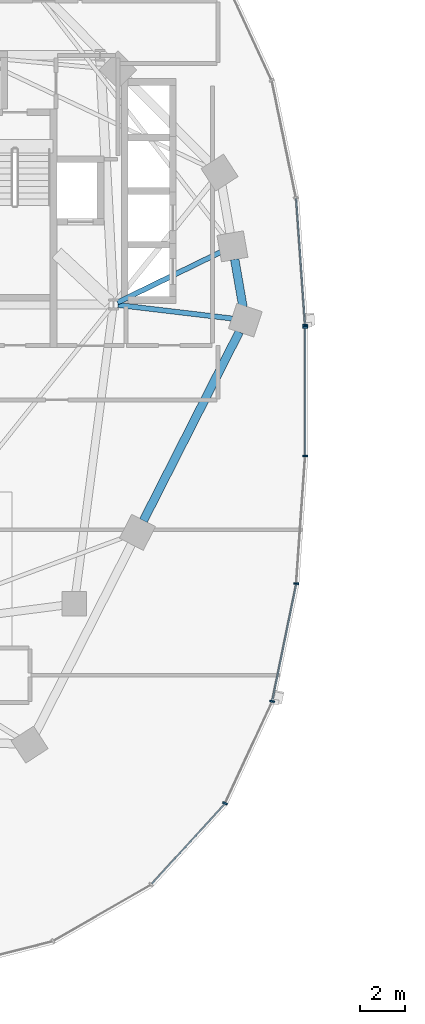
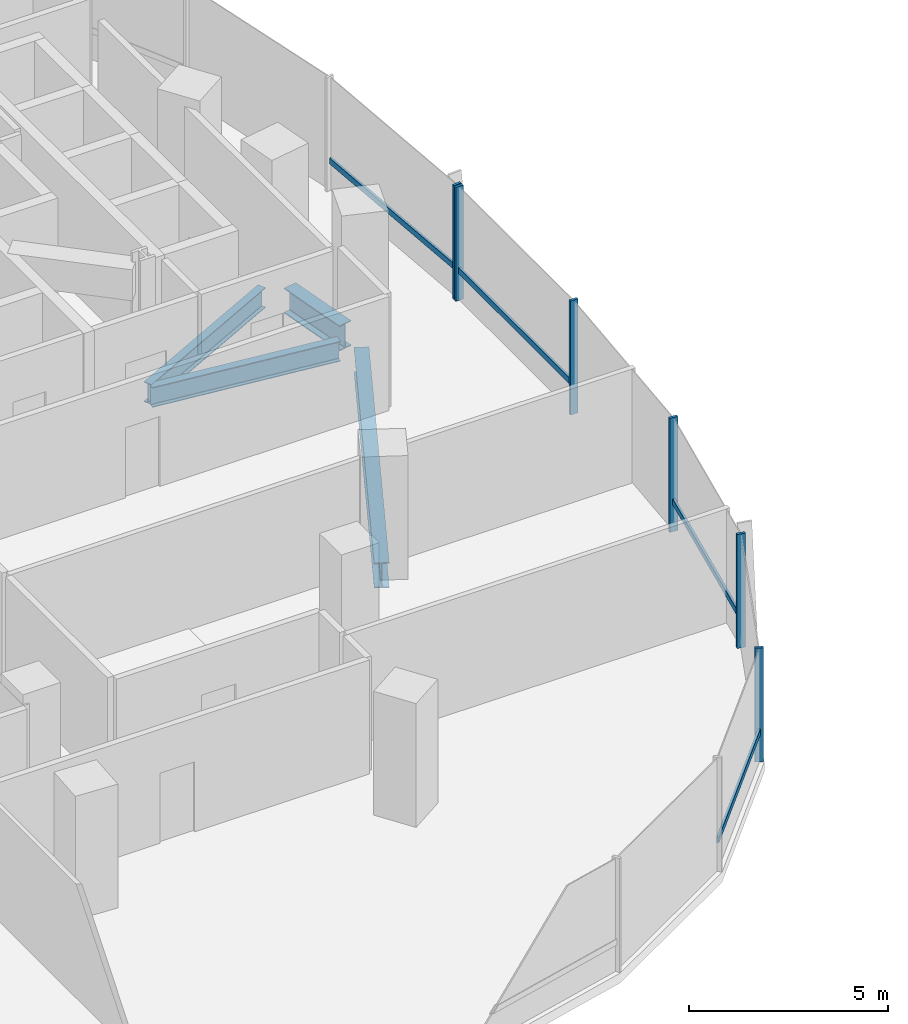
# One storey, part 3 of 22: 10 members, 4 beams, 2 elements without a shape of their own.
"""IFC4 building model written with IfcOpenShell, lengths in metres."""

from ifc_helpers import new_model, si_unit, direction, frame, origin, origin_2d, place, context, subcontext, project, spatial, rectangle, i_section, extrude, material, material_profile, profile_set, type_object, element, aggregate, save


model = new_model("IFC4")

# Units and contexts
model_context = context("Model", 3, precision=1e-05, world=origin(), true_north=direction((0.0, 1.0)))
body_context = subcontext(model_context, "Body", "Model", "MODEL_VIEW")
ifc_project = project(units=[si_unit("LENGTHUNIT", "METRE"), si_unit("AREAUNIT", "SQUARE_METRE"), si_unit("VOLUMEUNIT", "CUBIC_METRE"), si_unit("PLANEANGLEUNIT", "RADIAN"), si_unit("MASSUNIT", "GRAM", prefix="KILO"), si_unit("THERMODYNAMICTEMPERATUREUNIT", "KELVIN"), si_unit("POWERUNIT", "WATT")], contexts=[model_context])

# Site, building, storey
site_placement = place(None, origin())
site = spatial("IfcSite", under=ifc_project, at=site_placement, CompositionType="ELEMENT")
building_placement = place(site_placement, origin())
building = spatial("IfcBuilding", under=site, at=building_placement, Name="Cundina Bronze Exchange", CompositionType="ELEMENT")
storey_placement = place(building_placement, frame((0.0, 0.0, 35.39990234375)))
storey = spatial("IfcBuildingStorey", under=building, at=storey_placement, Name="L08", CompositionType="ELEMENT", Elevation=35.39990234375)

# Beams
ifc_material_1 = material(Name="Steel ASTM A992 Grade 50", Category="steel")
ifc_material_profile_1 = material_profile(ifc_material_1, i_section(OverallWidth=0.22998046875, OverallDepth=0.616943359375, WebThickness=0.01318359375, FlangeThickness=0.022216796875, FilletRadius=0.013916015625, at=origin_2d()), Name="W24X94", Category="steel")
ifc_profile_set_1 = profile_set([ifc_material_profile_1], Name="Steel ASTM A992 Grade 50")
beam_type_1 = type_object("IfcBeamType", Name="BM-FLR-W24B", PredefinedType="BEAM", material=ifc_profile_set_1)
beam_1_placement = place(storey_placement, frame((-21.247314453125, 3.8759765625, -0.6083984375), z_axis=(0.993035236117, -0.117817739878, 0.0), x_axis=(0.117817739878, 0.993035236117, 0.0)))
element("IfcBeam", 1, at=beam_1_placement, inside=storey, type_object=beam_type_1, Name="L08 Leg W Radial Floor Beam 00", PredefinedType="BEAM", context=body_context, shape_type="SweptSolid", body=[
    extrude(i_section(OverallWidth=0.22998046875, OverallDepth=0.616943359375, WebThickness=0.01318359375, FlangeThickness=0.022216796875, FilletRadius=0.013916015625, at=origin_2d()), origin(), (0.0, 0.0, 1.0), 5.1494140625),
])
beam_2_placement = place(storey_placement, frame((-21.2666015625, 3.989501953125, -0.6083984375), z_axis=(0.898610249448, 0.438747785849, 0.0), x_axis=(-0.438747785849, 0.898610249448, 0.0)))
element("IfcBeam", 2, at=beam_2_placement, inside=storey, type_object=beam_type_1, Name="L08 Leg W Radial Floor Beam 01", PredefinedType="BEAM", context=body_context, shape_type="SweptSolid", body=[
    extrude(i_section(OverallWidth=0.22998046875, OverallDepth=0.616943359375, WebThickness=0.01318359375, FlangeThickness=0.022216796875, FilletRadius=0.013916015625, at=origin_2d()), origin(), (0.0, 0.0, 1.0), 5.1337890625),
])
ifc_material_profile_2 = material_profile(ifc_material_1, i_section(OverallWidth=0.381103515625, OverallDepth=0.77294921875, WebThickness=0.0166015625, FlangeThickness=0.027099609375, FilletRadius=0.01904296875, at=origin_2d()), Name="W30X173", Category="steel")
ifc_profile_set_2 = profile_set([ifc_material_profile_2], Name="Steel ASTM A992 Grade 50")
beam_type_2 = type_object("IfcBeamType", Name="BM-RING-W30", PredefinedType="USERDEFINED", material=ifc_profile_set_2)
beam_3_placement = place(storey_placement, frame((-15.65087890625, 3.779296875, -0.6865234375), z_axis=(-0.171734584051, 0.985143254883, 0.0), x_axis=(-0.985143254883, -0.171734584051, 0.0)))
element("IfcBeam", 3, at=beam_3_placement, inside=storey, type_object=beam_type_2, Name="L08 W Perimeter Ring Girder 00", ObjectType="GIRDER", PredefinedType="USERDEFINED", context=body_context, shape_type="SweptSolid", body=[
    extrude(i_section(OverallWidth=0.381103515625, OverallDepth=0.77294921875, WebThickness=0.0166015625, FlangeThickness=0.027099609375, FilletRadius=0.01904296875, at=origin_2d()), origin(), (0.0, 0.0, 1.0), 2.173583984375),
])
beam_4_placement = place(storey_placement, frame((-20.108642578125, -5.775634765625, -0.6865234375), z_axis=(0.452819633606, 0.891602141889, 0.0), x_axis=(-0.891602141889, 0.452819633606, 0.0)))
element("IfcBeam", 4, at=beam_4_placement, inside=storey, type_object=beam_type_2, Name="L08 W Perimeter Ring Girder 13", ObjectType="GIRDER", PredefinedType="USERDEFINED", context=body_context, shape_type="SweptSolid", body=[
    extrude(i_section(OverallWidth=0.381103515625, OverallDepth=0.77294921875, WebThickness=0.0166015625, FlangeThickness=0.027099609375, FilletRadius=0.01904296875, at=origin_2d()), origin(), (0.0, 0.0, 1.0), 9.47900390625),
])

# Curtain wall, member
ifc_material_2 = material(Name="Anodised Bronze Aluminium 6063-T6", Category="aluminium")
curtain_wall_type = type_object("IfcCurtainWallType", Name="CWS-TRD-LOW", PredefinedType="NOTDEFINED", material=ifc_material_2)
curtain_wall_1_placement = place(storey_placement, origin())
curtain_wall_1 = element("IfcCurtainWall", 5, at=curtain_wall_1_placement, inside=storey, type_object=curtain_wall_type, Name="L08 CW-02 Curtain Wall Run CWR-L08-W1", PredefinedType="NOTDEFINED")
ifc_material_profile_3 = material_profile(ifc_material_2, rectangle(XDim=0.074951171875, YDim=0.219970703125, at=origin_2d()), Name="AL75X220", Category="aluminium")
ifc_profile_set_3 = profile_set([ifc_material_profile_3], Name="Anodised Bronze Aluminium 6063-T6")
member_type_1 = type_object("IfcMemberType", Name="CWM-MUL-220", PredefinedType="MULLION", material=ifc_profile_set_3)
member_1_placement = place(storey_placement, frame((-12.87548828125, 2.976318359375, 0.0), z_axis=(0.0, 0.0, 1.0), x_axis=(-0.070278787473, 0.997527389113, 0.0)))
member_1 = element("IfcMember", 6, at=member_1_placement, type_object=member_type_1, Name="CW-02 Mullion 1", PredefinedType="MULLION", context=body_context, shape_type="SweptSolid", body=[
    extrude(rectangle(XDim=0.074951171875, YDim=0.219970703125, at=origin_2d()), origin(), (0.0, 0.0, 1.0), 3.5),
])

# Curtain wall, members
curtain_wall_2_placement = place(storey_placement, origin())
curtain_wall_2 = element("IfcCurtainWall", 7, at=curtain_wall_2_placement, inside=storey, type_object=curtain_wall_type, Name="L08 CW-02 Curtain Wall Run CWR-L08-W4", PredefinedType="NOTDEFINED")
member_2_placement = place(storey_placement, frame((-16.455810546875, -18.423583984375, 0.0), z_axis=(0.0, 0.0, 1.0), x_axis=(0.42087749791, 0.907117485088, 0.0)))
member_2 = element("IfcMember", 8, at=member_2_placement, type_object=member_type_1, Name="CW-02 Mullion 4", PredefinedType="MULLION", context=body_context, shape_type="SweptSolid", body=[
    extrude(rectangle(XDim=0.074951171875, YDim=0.219970703125, at=origin_2d()), origin(), (0.0, 0.0, 1.0), 3.5),
])
member_3_placement = place(storey_placement, frame((-14.348876953125, -13.861328125, 0.0), z_axis=(0.0, 0.0, 1.0), x_axis=(0.201419845156, 0.979505000486, 0.0)))
member_3 = element("IfcMember", 9, at=member_3_placement, type_object=member_type_1, Name="CW-02 Mullion 5", PredefinedType="MULLION", context=body_context, shape_type="SweptSolid", body=[
    extrude(rectangle(XDim=0.074951171875, YDim=0.219970703125, at=origin_2d()), origin(), (0.0, 0.0, 1.0), 3.5),
])
member_4_placement = place(storey_placement, frame((-13.27099609375, -8.591552734375, 0.0), z_axis=(0.0, 0.0, 1.0), x_axis=(0.070278787473, 0.997527389113, 0.0)))
member_4 = element("IfcMember", 10, at=member_4_placement, type_object=member_type_1, Name="CW-02 Mullion 6", PredefinedType="MULLION", context=body_context, shape_type="SweptSolid", body=[
    extrude(rectangle(XDim=0.074951171875, YDim=0.219970703125, at=origin_2d()), origin(), (0.0, 0.0, 1.0), 3.5),
])
member_5_placement = place(storey_placement, frame((-12.8720703125, -2.880615234375, 0.0), z_axis=(0.0, 0.0, 1.0), x_axis=(0.0, 1.0, 0.0)))
member_5 = element("IfcMember", 11, at=member_5_placement, type_object=member_type_1, Name="CW-02 Mullion 7", PredefinedType="MULLION", context=body_context, shape_type="SweptSolid", body=[
    extrude(rectangle(XDim=0.074951171875, YDim=0.219970703125, at=origin_2d()), origin(), (0.0, 0.0, 1.0), 3.5),
])
member_6_placement = place(storey_placement, frame((-12.8720703125, 2.880615234375, 0.0), z_axis=(0.0, 0.0, 1.0), x_axis=(0.0, 1.0, 0.0)))
member_6 = element("IfcMember", 12, at=member_6_placement, type_object=member_type_1, Name="CW-02 End Mullion", PredefinedType="MULLION", context=body_context, shape_type="SweptSolid", body=[
    extrude(rectangle(XDim=0.074951171875, YDim=0.219970703125, at=origin_2d()), origin(), (0.0, 0.0, 1.0), 3.5),
])

# Member
ifc_material_profile_4 = material_profile(ifc_material_2, rectangle(XDim=0.070068359375, YDim=0.179931640625, at=origin_2d()), Name="AL70X180", Category="aluminium")
ifc_profile_set_4 = profile_set([ifc_material_profile_4], Name="Anodised Bronze Aluminium 6063-T6")
member_type_2 = type_object("IfcMemberType", Name="CWM-TRN-180", PredefinedType="USERDEFINED", material=ifc_profile_set_4)
member_7_placement = place(storey_placement, frame((-12.87841796875, 3.017333984375, 0.920166015625), z_axis=(-0.070260714471, 0.997528662246, 0.0), x_axis=(-0.997528662246, -0.070260714471, 0.0)))
member_7 = element("IfcMember", 13, at=member_7_placement, type_object=member_type_2, Name="CW-02 Spandrel Transom 1", ObjectType="TRANSOM", PredefinedType="USERDEFINED", context=body_context, shape_type="SweptSolid", body=[
    extrude(rectangle(XDim=0.070068359375, YDim=0.179931640625, at=origin_2d()), origin(), (0.0, 0.0, 1.0), 5.629150390625),
])

aggregate(curtain_wall_1, [member_1, member_7])

member_8_placement = place(storey_placement, frame((-19.73291015625, -22.027099609375, 0.920166015625), z_axis=(0.674302794847, 0.738454968743, 0.0), x_axis=(-0.738454968743, 0.674302794847, 0.0)))
member_8 = element("IfcMember", 14, at=member_8_placement, type_object=member_type_2, Name="CW-02 Spandrel Transom 3", ObjectType="TRANSOM", PredefinedType="USERDEFINED", context=body_context, shape_type="SweptSolid", body=[
    extrude(rectangle(XDim=0.070068359375, YDim=0.179931640625, at=origin_2d()), origin(), (0.0, 0.0, 1.0), 4.848388671875),
])

member_9_placement = place(storey_placement, frame((-14.340576171875, -13.821044921875, 0.920166015625), z_axis=(0.201427712708, 0.979503382615, 0.0), x_axis=(-0.979503382615, 0.201427712708, 0.0)))
member_9 = element("IfcMember", 15, at=member_9_placement, type_object=member_type_2, Name="CW-02 Spandrel Transom 5", ObjectType="TRANSOM", PredefinedType="USERDEFINED", context=body_context, shape_type="SweptSolid", body=[
    extrude(rectangle(XDim=0.070068359375, YDim=0.179931640625, at=origin_2d()), origin(), (0.0, 0.0, 1.0), 5.291748046875),
])

member_10_placement = place(storey_placement, frame((-12.8720703125, -2.839111328125, 0.920166015625), z_axis=(0.0, 1.0, 0.0), x_axis=(-1.0, 0.0, 0.0)))
member_10 = element("IfcMember", 16, at=member_10_placement, type_object=member_type_2, Name="CW-02 Spandrel Transom 7", ObjectType="TRANSOM", PredefinedType="USERDEFINED", context=body_context, shape_type="SweptSolid", body=[
    extrude(rectangle(XDim=0.070068359375, YDim=0.179931640625, at=origin_2d()), origin(), (0.0, 0.0, 1.0), 5.67822265625),
])

aggregate(curtain_wall_2, [member_8, member_2, member_3, member_9, member_4, member_5, member_6, member_10])

save(model, "model.ifc")
